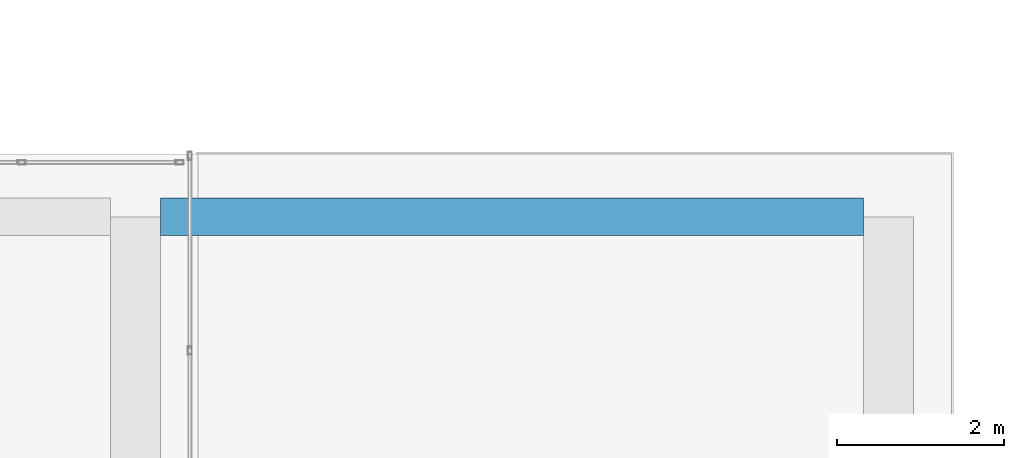
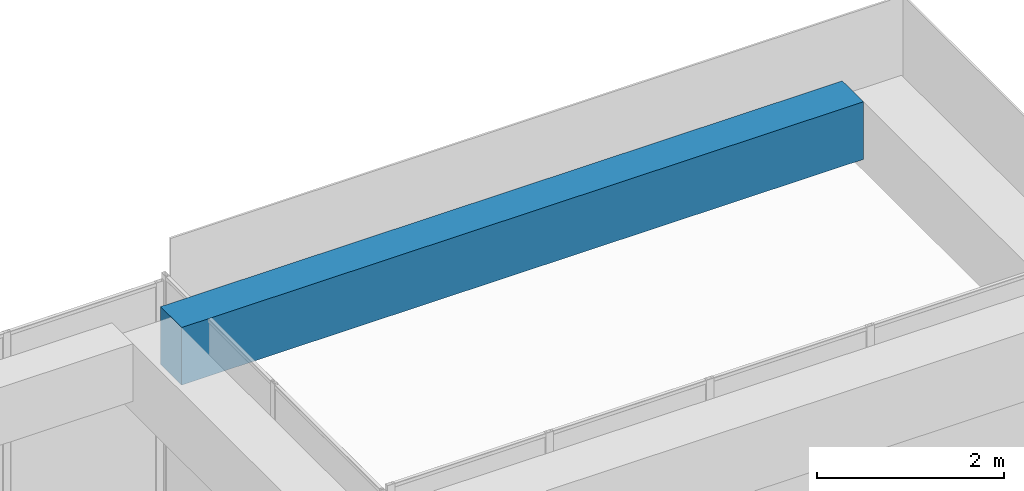
# One storey, part 44 of 72: 1 beam.
"""IFC4 building model written with IfcOpenShell, lengths in metres."""

from ifc_helpers import new_model, si_unit, direction, frame, origin, origin_2d, place, context, subcontext, project, spatial, rectangle, extrude, material, material_profile, profile_set, type_object, element, save


model = new_model("IFC4")

# Units and contexts
model_context = context("Model", 3, precision=1e-05, world=origin(), true_north=direction((0.0, 1.0)))
body_context = subcontext(model_context, "Body", "Model", "MODEL_VIEW")
ifc_project = project(units=[si_unit("LENGTHUNIT", "METRE"), si_unit("AREAUNIT", "SQUARE_METRE"), si_unit("VOLUMEUNIT", "CUBIC_METRE"), si_unit("PLANEANGLEUNIT", "RADIAN"), si_unit("MASSUNIT", "GRAM", prefix="KILO")], contexts=[model_context])

# Site, building, storey
site_placement = place(None, origin())
site = spatial("IfcSite", under=ifc_project, at=site_placement, CompositionType="ELEMENT")
building_placement = place(site_placement, origin())
building = spatial("IfcBuilding", under=site, at=building_placement, Name="Tuart Plaza Theatre", CompositionType="ELEMENT")
storey_placement = place(building_placement, frame((0.0, 0.0, 13.5)))
storey = spatial("IfcBuildingStorey", under=building, at=storey_placement, Name="L03", CompositionType="ELEMENT", Elevation=13.5)

# Beam
ifc_material = material(Name="Concrete N40 (40 MPa)", Category="concrete")
ifc_material_profile = material_profile(ifc_material, rectangle(XDim=0.449951171875, YDim=0.75, at=origin_2d()), Name="BEAM 450x750 Concrete N40 (40 MPa)")
ifc_profile_set = profile_set([ifc_material_profile], Name="Concrete N40 (40 MPa)")
beam_type = type_object("IfcBeamType", Name="BEAM 450x750 Concrete N40 (40 MPa)", PredefinedType="BEAM", material=ifc_profile_set)
beam_placement = place(storey_placement, frame((132.300048828125, 96.5, 3.205078125), z_axis=(1.0, 0.0, 0.0), x_axis=(0.0, 1.0, 0.0)))
element("IfcBeam", 1, at=beam_placement, inside=storey, type_object=beam_type, Name="RB204", PredefinedType="BEAM", context=body_context, shape_type="SweptSolid", body=[
    extrude(rectangle(XDim=0.449951171875, YDim=0.75, at=origin_2d()), origin(), (0.0, 0.0, 1.0), 8.39990234375),
])

save(model, "model.ifc")
